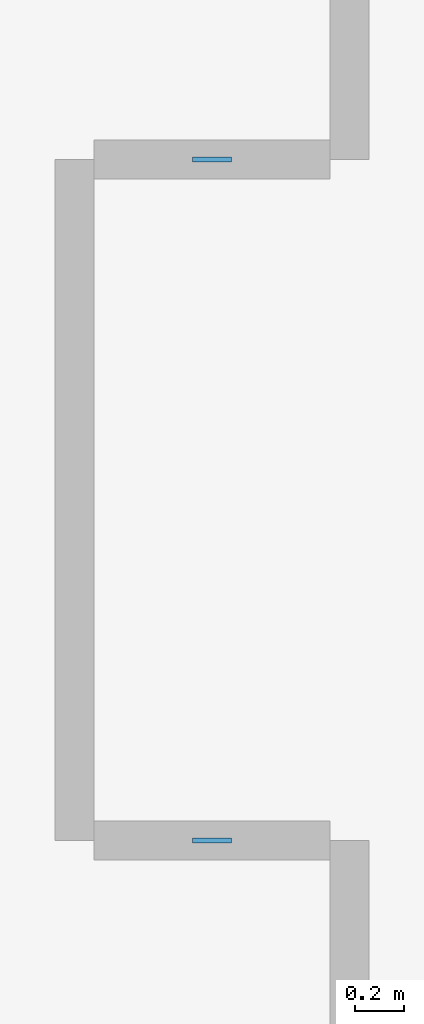
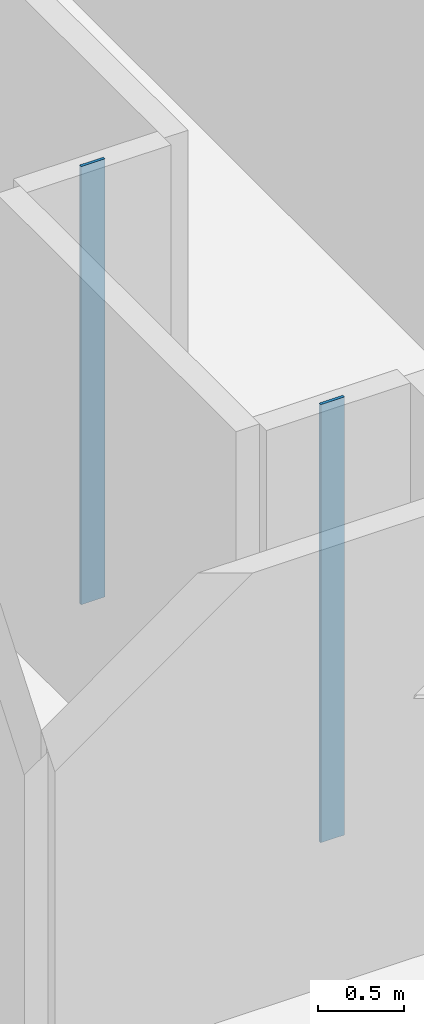
# One storey, part 5 of 13: 2 plates.
"""IFC4 building model written with IfcOpenShell, lengths in metres."""

from ifc_helpers import new_model, si_unit, direction, frame, origin, origin_2d, place, context, subcontext, project, spatial, rectangle, extrude, material, layer, layer_set, type_object, element, save


model = new_model("IFC4")

# Units and contexts
model_context = context("Model", 3, precision=1e-05, world=origin(), true_north=direction((0.0, 1.0)))
body_context = subcontext(model_context, "Body", "Model", "MODEL_VIEW")
ifc_project = project(units=[si_unit("LENGTHUNIT", "METRE"), si_unit("AREAUNIT", "SQUARE_METRE"), si_unit("VOLUMEUNIT", "CUBIC_METRE"), si_unit("PLANEANGLEUNIT", "RADIAN"), si_unit("MASSUNIT", "GRAM", prefix="KILO")], contexts=[model_context])

# Site, building, storey
site_placement = place(None, origin())
site = spatial("IfcSite", under=ifc_project, at=site_placement, CompositionType="ELEMENT")
building_placement = place(site_placement, origin())
building = spatial("IfcBuilding", under=site, at=building_placement, Name="Miruveldt Soraemaru", CompositionType="ELEMENT")
storey_placement = place(building_placement, frame((0.0, 0.0, 63.199951171875)))
storey = spatial("IfcBuildingStorey", under=building, at=storey_placement, Name="L17", CompositionType="ELEMENT", Elevation=63.199951171875)

# Plates
ifc_material = material(Name="Anodised aluminium EN AW-6063 T6", Category="aluminium")
ifc_layer = layer(ifc_material, 0.02001953125, Name="Anodised aluminium EN AW-6063 T6", Category="aluminium")
ifc_layer_set = layer_set([ifc_layer], Name="Anodised aluminium EN AW-6063 T6")
plate_type = type_object("IfcPlateType", Name="PLT-PART-TRIM", PredefinedType="SHEET", material=ifc_layer_set)
for number, where, z_axis, x_axis, name in (
    (1, (39.696044921875, 65.3798828125, 0.0), (0.0, 0.0, 1.0), (-1.0, 0.0, 0.0), "L17 Partition Step Corner Trim Plate 018"),
    (2, (39.696044921875, 62.580078125, 0.0), (0.0, 0.0, 1.0), (1.0, 0.0, 0.0), "L17 Partition Step Corner Trim Plate 020"),
):
    element("IfcPlate", number, at=place(storey_placement, frame(where, z_axis=z_axis, x_axis=x_axis)), inside=storey, type_object=plate_type, Name=name, PredefinedType="SHEET", context=body_context, shape_type="SweptSolid", body=[
        extrude(rectangle(XDim=0.159912109375, YDim=0.02001953125, at=origin_2d()), origin(), (0.0, 0.0, 1.0), 3.125),
    ])

save(model, "model.ifc")
